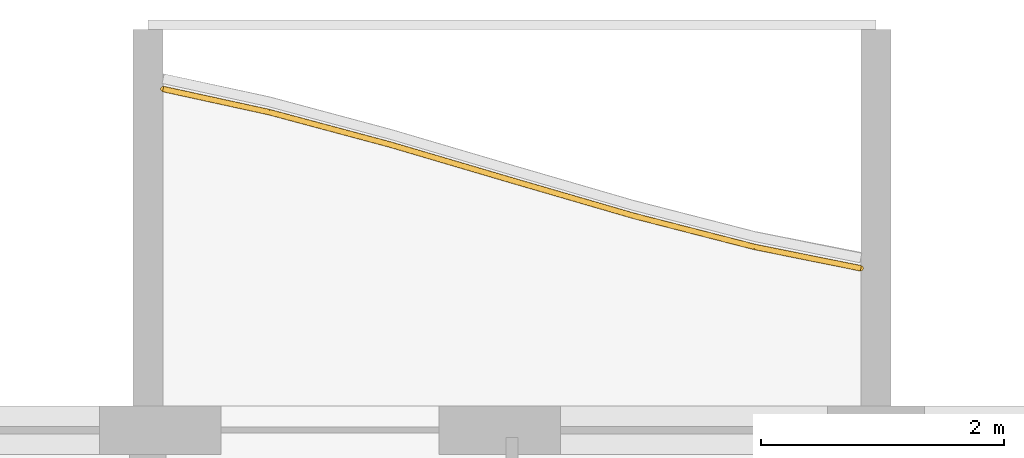
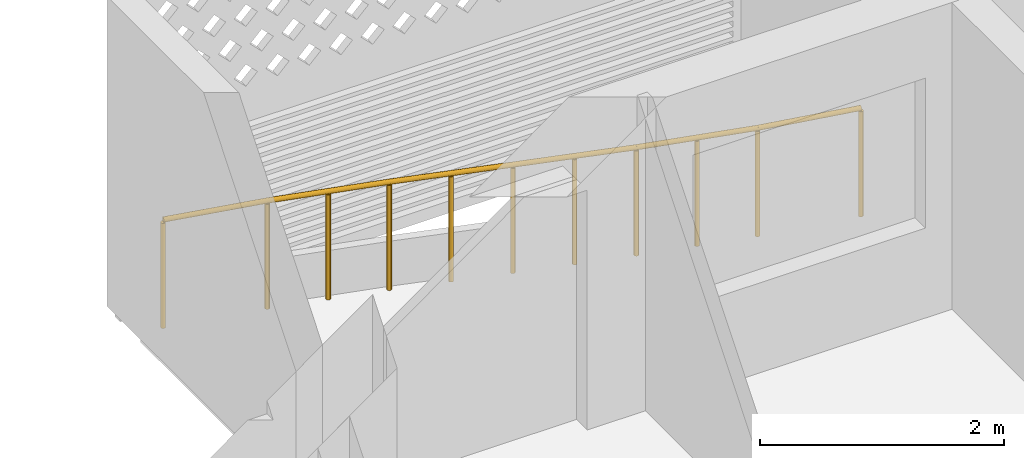
# One storey, part 26 of 33: 1 railing.
"""IFC4 building model written with IfcOpenShell, lengths in metres."""

from ifc_helpers import new_model, si_unit, direction, frame, origin, origin_2d, place, context, subcontext, project, spatial, circle, extrude, material, type_object, element, save


model = new_model("IFC4")

# Units and contexts
model_context = context("Model", 3, precision=1e-05, world=origin(), true_north=direction((0.0, 1.0)))
body_context = subcontext(model_context, "Body", "Model", "MODEL_VIEW")
ifc_project = project(units=[si_unit("LENGTHUNIT", "METRE"), si_unit("AREAUNIT", "SQUARE_METRE"), si_unit("VOLUMEUNIT", "CUBIC_METRE"), si_unit("PLANEANGLEUNIT", "RADIAN"), si_unit("MASSUNIT", "GRAM", prefix="KILO")], contexts=[model_context])

# Site, building, storey
site_placement = place(None, origin())
site = spatial("IfcSite", under=ifc_project, at=site_placement, CompositionType="ELEMENT")
building_placement = place(site_placement, origin())
building = spatial("IfcBuilding", under=site, at=building_placement, Name="Poui Terraces", CompositionType="ELEMENT")
storey_placement = place(building_placement, frame((0.0, 0.0, 132.300048828125)))
storey = spatial("IfcBuildingStorey", under=building, at=storey_placement, Name="L36", CompositionType="ELEMENT", Elevation=132.300048828125)

# Railing
ifc_material = material(Name="Painted steel fretwork", Category="steel")
railing_type = type_object("IfcRailingType", Name="BALCONY GUARD 1100", PredefinedType="GUARDRAIL", material=ifc_material)
railing_placement = place(storey_placement, frame((54.125, 45.21142578125, 0.0)))
element("IfcRailing", 1, at=railing_placement, inside=storey, type_object=railing_type, Name="BALCONY GUARD", PredefinedType="GUARDRAIL", context=body_context, shape_type="SweptSolid", body=[
    extrude(circle(Radius=0.02392578125, at=origin_2d()), frame((0.0, 0.0, 1.076171875), z_axis=(0.977013696832, -0.213176537646, 0.0), x_axis=(0.213176537646, 0.977013696832, 0.0)), (0.0, 0.0, 1.0), 0.8955078125),
    extrude(circle(Radius=0.02392578125, at=origin_2d()), frame((0.875, -0.19091796875, 1.076171875), z_axis=(0.965897516379, -0.258924676022, 0.0), x_axis=(0.258924676022, 0.965897516379, 0.0)), (0.0, 0.0, 1.0), 1.035400390625),
    extrude(circle(Radius=0.02392578125, at=origin_2d()), frame((1.875, -0.458984375, 1.076171875), z_axis=(0.959219941058, -0.282660758998, 0.0), x_axis=(0.282660758998, 0.959219941058, 0.0)), (0.0, 0.0, 1.0), 1.04248046875),
    extrude(circle(Radius=0.02392578125, at=origin_2d()), frame((2.875, -0.753662109375, 1.076171875), z_axis=(0.960230728662, -0.279207714316, 0.0), x_axis=(0.279207714316, 0.960230728662, 0.0)), (0.0, 0.0, 1.0), 1.04150390625),
    extrude(circle(Radius=0.02392578125, at=origin_2d()), frame((3.875, -1.04443359375, 1.076171875), z_axis=(0.968507596014, -0.248984008448, 0.0), x_axis=(0.248984008448, 0.968507596014, 0.0)), (0.0, 0.0, 1.0), 1.032470703125),
    extrude(circle(Radius=0.02392578125, at=origin_2d()), frame((4.875, -1.301513671875, 1.076171875), z_axis=(0.98030619905, -0.197483559072, 0.0), x_axis=(0.197483559072, 0.98030619905, 0.0)), (0.0, 0.0, 1.0), 0.892578125),
    extrude(circle(Radius=0.02099609375, at=origin_2d()), origin(), (0.0, 0.0, 1.0), 1.052001953125),
    extrude(circle(Radius=0.02099609375, at=origin_2d()), frame((0.875, -0.19091796875, 0.0)), (0.0, 0.0, 1.0), 1.052001953125),
    extrude(circle(Radius=0.02099609375, at=origin_2d()), frame((1.375, -0.324951171875, 0.0)), (0.0, 0.0, 1.0), 1.052001953125),
    extrude(circle(Radius=0.02099609375, at=origin_2d()), frame((1.875, -0.458984375, 0.0)), (0.0, 0.0, 1.0), 1.052001953125),
    extrude(circle(Radius=0.02099609375, at=origin_2d()), frame((2.375, -0.6064453125, 0.0)), (0.0, 0.0, 1.0), 1.052001953125),
    extrude(circle(Radius=0.02099609375, at=origin_2d()), frame((2.875, -0.753662109375, 0.0)), (0.0, 0.0, 1.0), 1.052001953125),
    extrude(circle(Radius=0.02099609375, at=origin_2d()), frame((3.375, -0.89892578125, 0.0)), (0.0, 0.0, 1.0), 1.052001953125),
    extrude(circle(Radius=0.02099609375, at=origin_2d()), frame((3.875, -1.04443359375, 0.0)), (0.0, 0.0, 1.0), 1.052001953125),
    extrude(circle(Radius=0.02099609375, at=origin_2d()), frame((4.375, -1.1728515625, 0.0)), (0.0, 0.0, 1.0), 1.052001953125),
    extrude(circle(Radius=0.02099609375, at=origin_2d()), frame((4.875, -1.301513671875, 0.0)), (0.0, 0.0, 1.0), 1.052001953125),
    extrude(circle(Radius=0.02099609375, at=origin_2d()), frame((5.75, -1.477783203125, 0.0)), (0.0, 0.0, 1.0), 1.052001953125),
])

save(model, "model.ifc")
